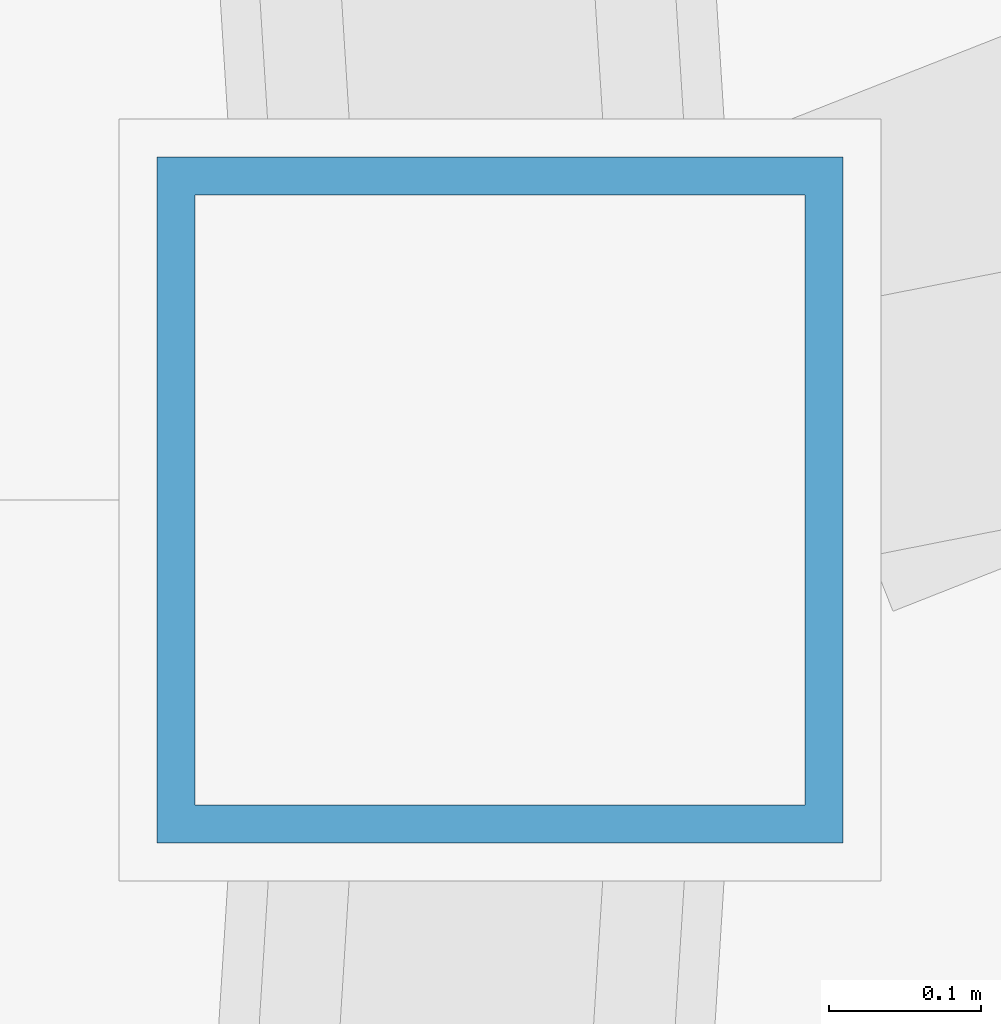
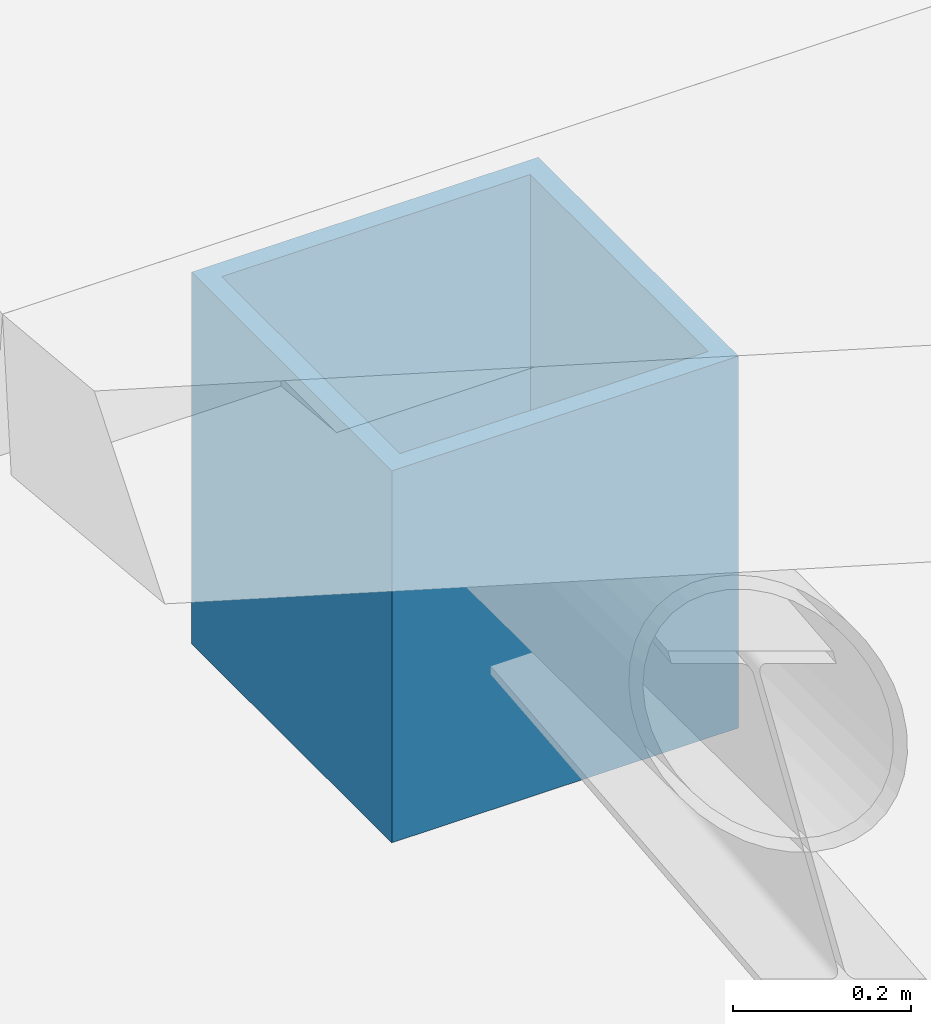
# One storey, part 3 of 6: 1 column.
"""IFC4 building model written with IfcOpenShell, lengths in metres."""

from ifc_helpers import new_model, si_unit, direction, frame, origin, origin_2d, place, context, subcontext, project, spatial, hollow_rectangle, extrude, material, material_profile, profile_set, type_object, element, save


model = new_model("IFC4")

# Units and contexts
model_context = context("Model", 3, precision=1e-05, world=origin(), true_north=direction((0.0, 1.0)))
body_context = subcontext(model_context, "Body", "Model", "MODEL_VIEW")
ifc_project = project(units=[si_unit("LENGTHUNIT", "METRE"), si_unit("AREAUNIT", "SQUARE_METRE"), si_unit("VOLUMEUNIT", "CUBIC_METRE"), si_unit("PLANEANGLEUNIT", "RADIAN"), si_unit("MASSUNIT", "GRAM", prefix="KILO"), si_unit("THERMODYNAMICTEMPERATUREUNIT", "KELVIN"), si_unit("POWERUNIT", "WATT")], contexts=[model_context])

# Site, building, storey
site_placement = place(None, origin())
site = spatial("IfcSite", under=ifc_project, at=site_placement, CompositionType="ELEMENT")
building_placement = place(site_placement, origin())
building = spatial("IfcBuilding", under=site, at=building_placement, Name="Cundina Bronze Exchange", CompositionType="ELEMENT")
storey_placement = place(building_placement, frame((0.0, 0.0, 291.60009765625)))
storey = spatial("IfcBuildingStorey", under=building, at=storey_placement, Name="RF", CompositionType="ELEMENT", Elevation=291.60009765625)

# Column
ifc_material = material(Name="Steel ASTM A501 Grade B", Category="steel")
ifc_material_profile = material_profile(ifc_material, hollow_rectangle(XDim=0.449951171875, YDim=0.449951171875, WallThickness=0.02490234375, at=origin_2d()), Name="HSS450X450X25", Category="steel")
ifc_profile_set = profile_set([ifc_material_profile], Name="Steel ASTM A501 Grade B")
column_type = type_object("IfcColumnType", Name="COL-STL-HSS45", PredefinedType="COLUMN", material=ifc_profile_set)
column_placement = place(storey_placement, frame((-41.199951171875, 0.0, 0.0), z_axis=(0.0, 0.0, 1.0), x_axis=(1.0, 0.0, 0.0)))
element("IfcColumn", 1, at=column_placement, inside=storey, type_object=column_type, Name="RF Leg W V-Notch Roof Pier E0", PredefinedType="COLUMN", context=body_context, shape_type="SweptSolid", body=[
    extrude(hollow_rectangle(XDim=0.449951171875, YDim=0.449951171875, WallThickness=0.02490234375, at=origin_2d()), origin(), (0.0, 0.0, 1.0), 0.510009765625),
])

save(model, "model.ifc")
